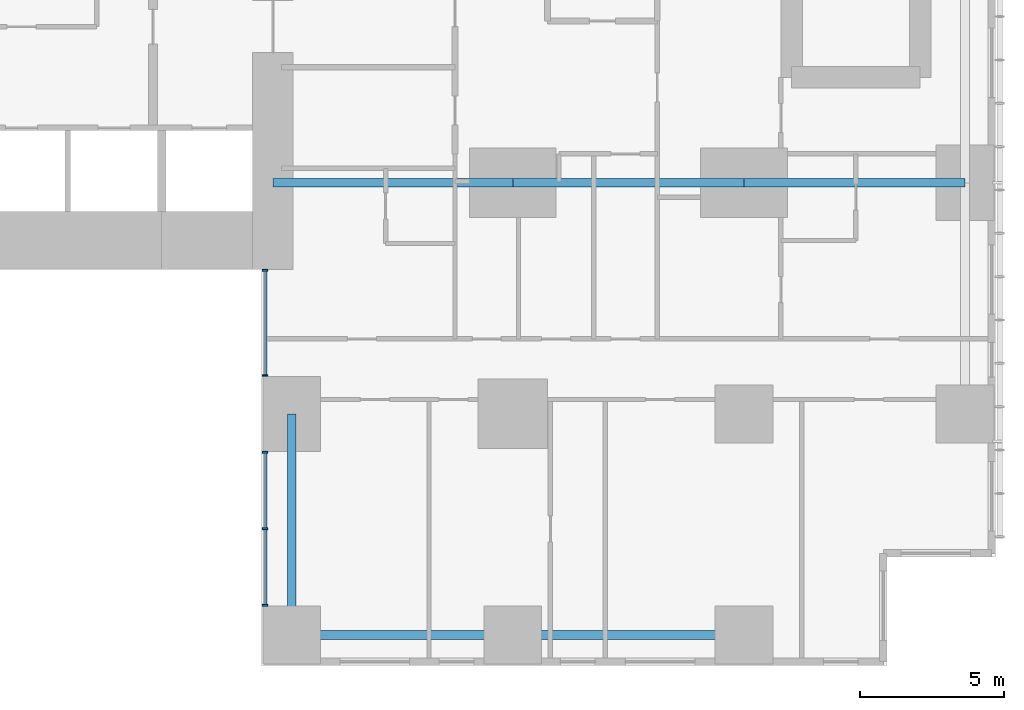
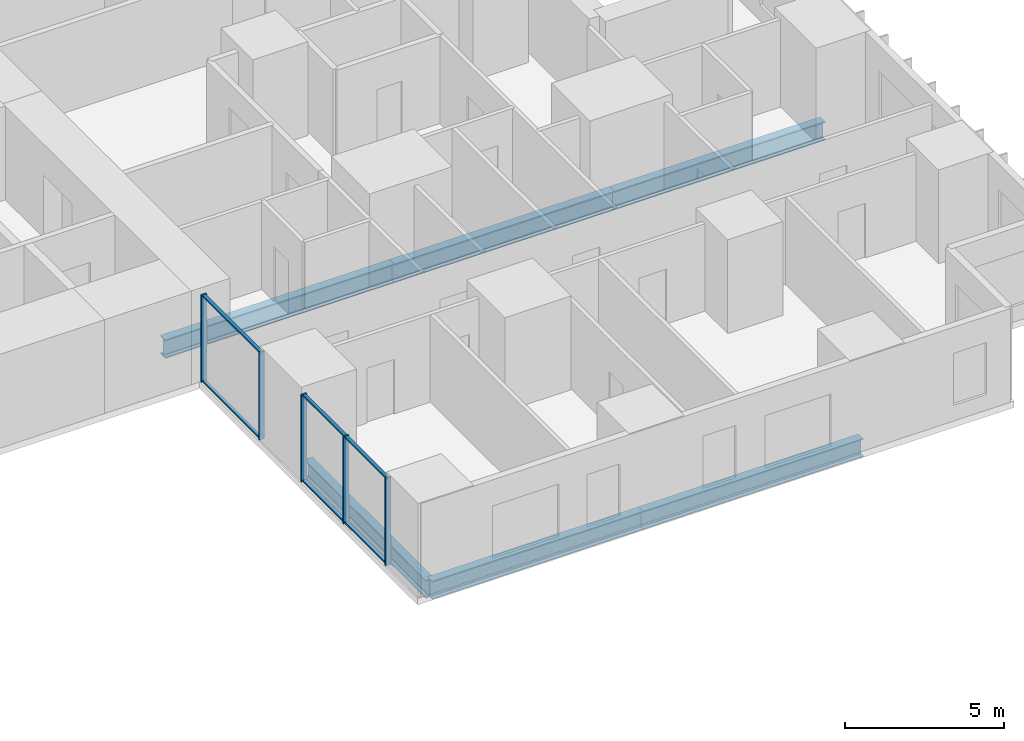
# One storey, part 3 of 21: 11 members, 6 beams, 2 elements without a shape of their own.
"""IFC4 building model written with IfcOpenShell, lengths in metres."""

from ifc_helpers import new_model, si_unit, direction, frame, origin, origin_2d, place, context, subcontext, project, spatial, rectangle, i_section, extrude, material, layer, layer_set, material_profile, profile_set, type_object, element, aggregate, save


model = new_model("IFC4")

# Units and contexts
model_context = context("Model", 3, precision=1e-05, world=origin(), true_north=direction((0.0, 1.0)))
body_context = subcontext(model_context, "Body", "Model", "MODEL_VIEW")
ifc_project = project(units=[si_unit("LENGTHUNIT", "METRE"), si_unit("AREAUNIT", "SQUARE_METRE"), si_unit("VOLUMEUNIT", "CUBIC_METRE"), si_unit("PLANEANGLEUNIT", "RADIAN"), si_unit("MASSUNIT", "GRAM", prefix="KILO")], contexts=[model_context])

# Site, building, storey
site_placement = place(None, origin())
site = spatial("IfcSite", under=ifc_project, at=site_placement, CompositionType="ELEMENT")
building_placement = place(site_placement, origin())
building = spatial("IfcBuilding", under=site, at=building_placement, Name="Cleftline Residences", CompositionType="ELEMENT")
storey_placement = place(building_placement, frame((0.0, 0.0, 58.39990234375)))
storey = spatial("IfcBuildingStorey", under=building, at=storey_placement, Name="L14", CompositionType="ELEMENT", Elevation=58.39990234375)

# Beams
ifc_material_1 = material(Name="Steel S355", Category="steel")
ifc_material_profile_1 = material_profile(ifc_material_1, i_section(OverallWidth=0.300048828125, OverallDepth=0.699951171875, WebThickness=0.01708984375, FlangeThickness=0.031982421875, FilletRadius=0.027099609375, at=origin_2d()))
ifc_profile_set_1 = profile_set([ifc_material_profile_1], Name="Steel S355")
beam_type_1 = type_object("IfcBeamType", Name="BEAM HEB 700", PredefinedType="BEAM", material=ifc_profile_set_1)
beam_1_placement = place(storey_placement, frame((58.0, 0.35009765625, -0.599853515625), z_axis=(-1.0, 0.0, 0.0), x_axis=(0.0, -1.0, 0.0)))
element("IfcBeam", 1, at=beam_1_placement, inside=storey, type_object=beam_type_1, Name="Edge beam", PredefinedType="BEAM", context=body_context, shape_type="SweptSolid", body=[
    extrude(i_section(OverallWidth=0.300048828125, OverallDepth=0.699951171875, WebThickness=0.01708984375, FlangeThickness=0.031982421875, FilletRadius=0.027099609375, at=origin_2d()), origin(), (0.0, 0.0, 1.0), 8.0),
])
for number, where, z_axis, x_axis, name in (
    (2, (50.0, 0.35009765625, -0.599853515625), (-1.0, 0.0, 0.0), (0.0, -1.0, 0.0), "Edge beam"),
    (3, (42.35009765625, 0.35009765625, -0.599853515625), (0.0, 1.0, 0.0), (-1.0, 0.0, 0.0), "Edge beam"),
):
    element("IfcBeam", number, at=place(storey_placement, frame(where, z_axis=z_axis, x_axis=x_axis)), inside=storey, type_object=beam_type_1, Name=name, PredefinedType="BEAM", context=body_context, shape_type="SweptSolid", body=[
        extrude(i_section(OverallWidth=0.300048828125, OverallDepth=0.699951171875, WebThickness=0.01708984375, FlangeThickness=0.031982421875, FilletRadius=0.027099609375, at=origin_2d()), origin(), (0.0, 0.0, 1.0), 7.64990234375),
    ])
ifc_material_2 = material(Name="Steel S355", Category="steel")
ifc_material_profile_2 = material_profile(ifc_material_2, i_section(OverallWidth=0.303955078125, OverallDepth=0.716064453125, WebThickness=0.02099609375, FlangeThickness=0.0400390625, FilletRadius=0.027099609375, at=origin_2d()))
ifc_profile_set_2 = profile_set([ifc_material_profile_2], Name="Steel S355")
beam_type_2 = type_object("IfcBeamType", Name="BEAM HEM 700", PredefinedType="BEAM", material=ifc_profile_set_2)
beam_2_placement = place(storey_placement, frame((65.64990234375, 16.0, -0.60791015625), z_axis=(-1.0, 0.0, 0.0), x_axis=(0.0, -1.0, 0.0)))
element("IfcBeam", 4, at=beam_2_placement, inside=storey, type_object=beam_type_2, Name="Band beam", PredefinedType="BEAM", context=body_context, shape_type="SweptSolid", body=[
    extrude(i_section(OverallWidth=0.303955078125, OverallDepth=0.716064453125, WebThickness=0.02099609375, FlangeThickness=0.0400390625, FilletRadius=0.027099609375, at=origin_2d()), origin(), (0.0, 0.0, 1.0), 7.64990234375),
])
beam_3_placement = place(storey_placement, frame((58.0, 16.0, -0.60791015625), z_axis=(-1.0, 0.0, 0.0), x_axis=(0.0, -1.0, 0.0)))
element("IfcBeam", 5, at=beam_3_placement, inside=storey, type_object=beam_type_2, Name="Band beam", PredefinedType="BEAM", context=body_context, shape_type="SweptSolid", body=[
    extrude(i_section(OverallWidth=0.303955078125, OverallDepth=0.716064453125, WebThickness=0.02099609375, FlangeThickness=0.0400390625, FilletRadius=0.027099609375, at=origin_2d()), origin(), (0.0, 0.0, 1.0), 8.0),
])
beam_4_placement = place(storey_placement, frame((50.0, 16.0, -0.60791015625), z_axis=(-1.0, 0.0, 0.0), x_axis=(0.0, -1.0, 0.0)))
element("IfcBeam", 6, at=beam_4_placement, inside=storey, type_object=beam_type_2, Name="Band beam", PredefinedType="BEAM", context=body_context, shape_type="SweptSolid", body=[
    extrude(i_section(OverallWidth=0.303955078125, OverallDepth=0.716064453125, WebThickness=0.02099609375, FlangeThickness=0.0400390625, FilletRadius=0.027099609375, at=origin_2d()), origin(), (0.0, 0.0, 1.0), 8.300048828125),
])

# Curtain wall, members
ifc_material_3 = material(Name="Aluminium framed curtain wall", Category="aluminium")
ifc_layer = layer(ifc_material_3, 0.199951171875)
ifc_layer_set = layer_set([ifc_layer], Name="CW1 CLEFT GLAZING")
curtain_wall_type = type_object("IfcCurtainWallType", Name="CW1 CLEFT GLAZING", PredefinedType="NOTDEFINED", material=ifc_layer_set)
curtain_wall_1_placement = place(storey_placement, origin())
curtain_wall_1 = element("IfcCurtainWall", 7, at=curtain_wall_1_placement, inside=storey, type_object=curtain_wall_type, Name="Curtain wall CW1", PredefinedType="NOTDEFINED")
ifc_material_4 = material(Name="Aluminium mullion", Category="aluminium")
ifc_material_profile_3 = material_profile(ifc_material_4, rectangle(XDim=0.199951171875, YDim=0.06005859375, at=origin_2d()))
ifc_profile_set_3 = profile_set([ifc_material_profile_3], Name="Aluminium mullion")
member_type_1 = type_object("IfcMemberType", Name="CW1 MULLION", PredefinedType="MULLION", material=ifc_profile_set_3)
member_1_placement = place(storey_placement, frame((41.425048828125, 12.969970703125, 0.0), z_axis=(0.0, 0.0, 1.0), x_axis=(1.0, 0.0, 0.0)))
member_1 = element("IfcMember", 8, at=member_1_placement, type_object=member_type_1, Name="CW1 mullion 1", PredefinedType="MULLION", context=body_context, shape_type="SweptSolid", body=[
    extrude(rectangle(XDim=0.199951171875, YDim=0.06005859375, at=origin_2d()), origin(), (0.0, 0.0, 1.0), 3.35009765625),
])
member_2_placement = place(storey_placement, frame((41.425048828125, 9.330078125, 0.0), z_axis=(0.0, 0.0, 1.0), x_axis=(1.0, 0.0, 0.0)))
member_2 = element("IfcMember", 9, at=member_2_placement, type_object=member_type_1, Name="CW1 mullion 2", PredefinedType="MULLION", context=body_context, shape_type="SweptSolid", body=[
    extrude(rectangle(XDim=0.199951171875, YDim=0.06005859375, at=origin_2d()), origin(), (0.0, 0.0, 1.0), 3.35009765625),
])

curtain_wall_2_placement = place(storey_placement, origin())
curtain_wall_2 = element("IfcCurtainWall", 10, at=curtain_wall_2_placement, inside=storey, type_object=curtain_wall_type, Name="Curtain wall CW1", PredefinedType="NOTDEFINED")
member_3_placement = place(storey_placement, frame((41.425048828125, 6.669921875, 0.0), z_axis=(0.0, 0.0, 1.0), x_axis=(1.0, 0.0, 0.0)))
member_3 = element("IfcMember", 11, at=member_3_placement, type_object=member_type_1, Name="CW1 mullion 1", PredefinedType="MULLION", context=body_context, shape_type="SweptSolid", body=[
    extrude(rectangle(XDim=0.199951171875, YDim=0.06005859375, at=origin_2d()), origin(), (0.0, 0.0, 1.0), 3.35009765625),
])
member_4_placement = place(storey_placement, frame((41.425048828125, 4.02490234375, 0.0), z_axis=(0.0, 0.0, 1.0), x_axis=(1.0, 0.0, 0.0)))
member_4 = element("IfcMember", 12, at=member_4_placement, type_object=member_type_1, Name="CW1 mullion 2", PredefinedType="MULLION", context=body_context, shape_type="SweptSolid", body=[
    extrude(rectangle(XDim=0.199951171875, YDim=0.06005859375, at=origin_2d()), origin(), (0.0, 0.0, 1.0), 3.35009765625),
])
member_5_placement = place(storey_placement, frame((41.425048828125, 1.3798828125, 0.0), z_axis=(0.0, 0.0, 1.0), x_axis=(1.0, 0.0, 0.0)))
member_5 = element("IfcMember", 13, at=member_5_placement, type_object=member_type_1, Name="CW1 mullion 3", PredefinedType="MULLION", context=body_context, shape_type="SweptSolid", body=[
    extrude(rectangle(XDim=0.199951171875, YDim=0.06005859375, at=origin_2d()), origin(), (0.0, 0.0, 1.0), 3.35009765625),
])

# Member
ifc_material_5 = material(Name="Aluminium transom", Category="aluminium")
ifc_material_profile_4 = material_profile(ifc_material_5, rectangle(XDim=0.1201171875, YDim=0.06005859375, at=origin_2d()))
ifc_profile_set_4 = profile_set([ifc_material_profile_4], Name="Aluminium transom")
member_type_2 = type_object("IfcMemberType", Name="CW1 TRANSOM", PredefinedType="USERDEFINED", material=ifc_profile_set_4)
member_6_placement = place(storey_placement, frame((41.425048828125, 12.93994140625, 0.030029296875), z_axis=(0.0, -1.0, 0.0), x_axis=(1.0, 0.0, 0.0)))
member_6 = element("IfcMember", 14, at=member_6_placement, type_object=member_type_2, Name="CW1 transom 1.1", ObjectType="TRANSOM", PredefinedType="USERDEFINED", context=body_context, shape_type="SweptSolid", body=[
    extrude(rectangle(XDim=0.1201171875, YDim=0.06005859375, at=origin_2d()), origin(), (0.0, 0.0, 1.0), 3.579833984375),
])

member_7_placement = place(storey_placement, frame((41.425048828125, 12.93994140625, 3.320068359375), z_axis=(0.0, -1.0, 0.0), x_axis=(1.0, 0.0, 0.0)))
member_7 = element("IfcMember", 15, at=member_7_placement, type_object=member_type_2, Name="CW1 transom 1.2", ObjectType="TRANSOM", PredefinedType="USERDEFINED", context=body_context, shape_type="SweptSolid", body=[
    extrude(rectangle(XDim=0.1201171875, YDim=0.06005859375, at=origin_2d()), origin(), (0.0, 0.0, 1.0), 3.579833984375),
])

aggregate(curtain_wall_1, [member_1, member_2, member_6, member_7])

member_8_placement = place(storey_placement, frame((41.425048828125, 6.639892578125, 0.030029296875), z_axis=(0.0, -1.0, 0.0), x_axis=(1.0, 0.0, 0.0)))
member_8 = element("IfcMember", 16, at=member_8_placement, type_object=member_type_2, Name="CW1 transom 1.1", ObjectType="TRANSOM", PredefinedType="USERDEFINED", context=body_context, shape_type="SweptSolid", body=[
    extrude(rectangle(XDim=0.1201171875, YDim=0.06005859375, at=origin_2d()), origin(), (0.0, 0.0, 1.0), 2.5849609375),
])

member_9_placement = place(storey_placement, frame((41.425048828125, 6.639892578125, 3.320068359375), z_axis=(0.0, -1.0, 0.0), x_axis=(1.0, 0.0, 0.0)))
member_9 = element("IfcMember", 17, at=member_9_placement, type_object=member_type_2, Name="CW1 transom 1.2", ObjectType="TRANSOM", PredefinedType="USERDEFINED", context=body_context, shape_type="SweptSolid", body=[
    extrude(rectangle(XDim=0.1201171875, YDim=0.06005859375, at=origin_2d()), origin(), (0.0, 0.0, 1.0), 2.5849609375),
])

member_10_placement = place(storey_placement, frame((41.425048828125, 3.9951171875, 0.030029296875), z_axis=(0.0, -1.0, 0.0), x_axis=(1.0, 0.0, 0.0)))
member_10 = element("IfcMember", 18, at=member_10_placement, type_object=member_type_2, Name="CW1 transom 2.1", ObjectType="TRANSOM", PredefinedType="USERDEFINED", context=body_context, shape_type="SweptSolid", body=[
    extrude(rectangle(XDim=0.1201171875, YDim=0.06005859375, at=origin_2d()), origin(), (0.0, 0.0, 1.0), 2.585205078125),
])

member_11_placement = place(storey_placement, frame((41.425048828125, 3.9951171875, 3.320068359375), z_axis=(0.0, -1.0, 0.0), x_axis=(1.0, 0.0, 0.0)))
member_11 = element("IfcMember", 19, at=member_11_placement, type_object=member_type_2, Name="CW1 transom 2.2", ObjectType="TRANSOM", PredefinedType="USERDEFINED", context=body_context, shape_type="SweptSolid", body=[
    extrude(rectangle(XDim=0.1201171875, YDim=0.06005859375, at=origin_2d()), origin(), (0.0, 0.0, 1.0), 2.585205078125),
])

aggregate(curtain_wall_2, [member_3, member_4, member_5, member_8, member_9, member_10, member_11])

save(model, "model.ifc")
